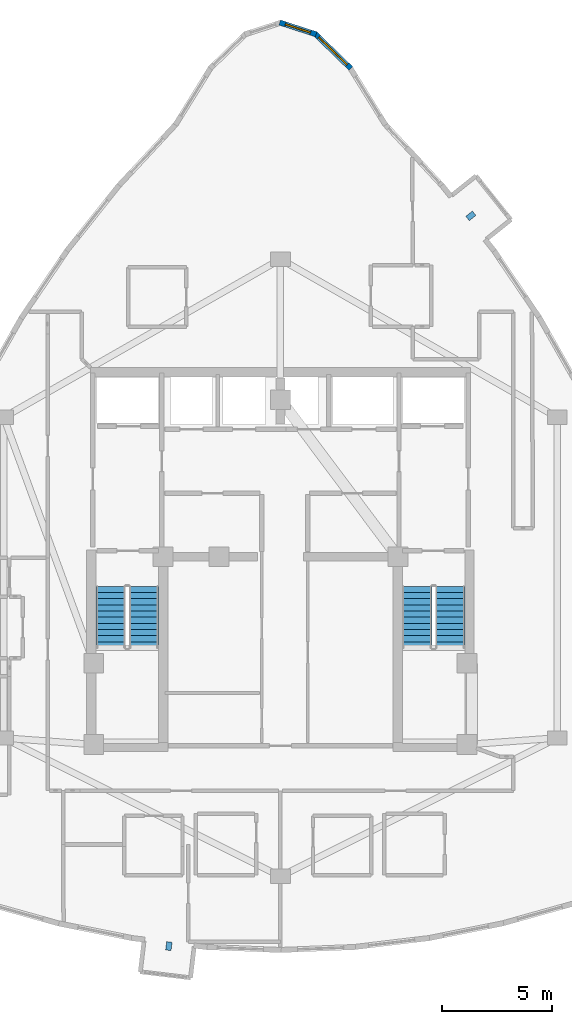
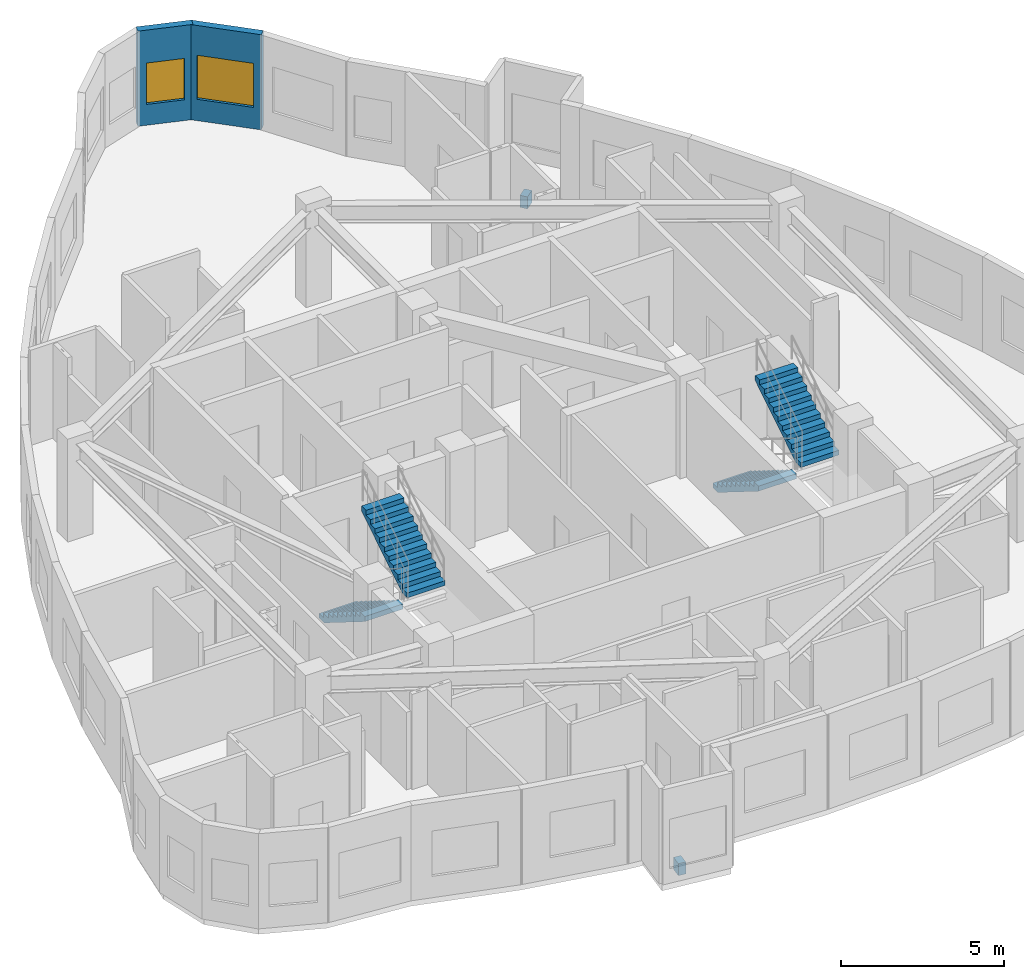
# One storey, part 12 of 13: 4 stair flights, 2 discrete accessories, 2 walls, 2 windows, 2 openings, 2 elements without a shape of their own.
"""IFC4 building model written with IfcOpenShell, lengths in metres."""

import ifcopenshell
import ifcopenshell.guid

model = None  # the IFC model being written
_history = None  # IfcOwnerHistory: only IFC2X3 demands one
_inside = {}  # id of a spatial element -> (the spatial element, [elements in it])
_under = {}  # id of a project, library or spatial element -> (it, [spatial elements below it])
_declared = {}  # id of a project -> (the project, [libraries it declares])
_typed = {}  # id of a type object -> (the type object, [elements of that type])
_made_of = {}  # id of a material, layer set ... -> (it, [elements and type objects made of it])


def new_model(schema):
    """Start an empty IFC model of exactly this schema.

    Asked for "IFC4X3", IfcOpenShell would pick the latest addendum, in which some entities
    have other attributes; the version numbers below select the first issue.
    IFC2X3 requires an IfcOwnerHistory on every rooted entity: one is made here for all.
    """
    global model, _history
    if schema == "IFC4X3":
        model = ifcopenshell.file(schema_version=(4, 3, 0, 0))
    else:
        model = ifcopenshell.file(schema=schema)
    _inside.clear()
    _under.clear()
    _declared.clear()
    _typed.clear()
    _made_of.clear()
    _history = None
    if model.schema == "IFC2X3":
        org = make("IfcOrganization", Name="unknown")
        user = make(
            "IfcPersonAndOrganization",
            ThePerson=make("IfcPerson", FamilyName="unknown"),
            TheOrganization=org,
        )
        app = make(
            "IfcApplication",
            ApplicationDeveloper=org,
            Version="unknown",
            ApplicationFullName="unknown",
            ApplicationIdentifier="unknown",
        )
        _history = make(
            "IfcOwnerHistory",
            OwningUser=user,
            OwningApplication=app,
            ChangeAction="ADDED",
            CreationDate=0,
        )
    return model


def make(cls, **values):
    """One entity of the class cls with the attributes given. An attribute that is None is left unset."""
    return model.create_entity(
        cls, **{name: value for name, value in values.items() if value is not None}
    )


def rooted(cls, **values):
    """An entity with a GlobalId (a new one), such as an element, a storey or a relation."""
    return make(cls, GlobalId=ifcopenshell.guid.new(), OwnerHistory=_history, **values)


def si_unit(unit_type, name, prefix=None):
    """IfcSIUnit, for example si_unit("LENGTHUNIT", "METRE", prefix="MILLI")."""
    return make("IfcSIUnit", UnitType=unit_type, Prefix=prefix, Name=name)


def assignment(units):
    """IfcUnitAssignment: the units of a project."""
    return None if units is None else make("IfcUnitAssignment", Units=units)


def point(xyz):
    """IfcCartesianPoint."""
    return None if xyz is None else make("IfcCartesianPoint", Coordinates=xyz)


def direction(xyz):
    """IfcDirection."""
    return None if xyz is None else make("IfcDirection", DirectionRatios=xyz)


def frame(location, z_axis=None, x_axis=None):
    """IfcAxis2Placement3D, a coordinate frame: its origin and axes. An axis left out is left unset."""
    return make(
        "IfcAxis2Placement3D",
        Location=point(location),
        Axis=direction(z_axis),
        RefDirection=direction(x_axis),
    )


def frame_2d(location, x_axis=None):
    """IfcAxis2Placement2D, a coordinate frame in the plane: its origin and x axis."""
    return make(
        "IfcAxis2Placement2D", Location=point(location), RefDirection=direction(x_axis)
    )


def origin():
    """The frame at (0, 0, 0) with its axes left unset."""
    return frame((0.0, 0.0, 0.0))


def origin_2d():
    """The frame at (0, 0) in the plane with its x axis left unset."""
    return frame_2d((0.0, 0.0))


def place(relative_to, where):
    """IfcLocalPlacement: puts the frame where relative to a parent placement (None: the world)."""
    return make(
        "IfcLocalPlacement", PlacementRelTo=relative_to, RelativePlacement=where
    )


def context(
    kind, dimensions, precision=None, world=None, true_north=None, identifier=None
):
    """IfcGeometricRepresentationContext, for example the 3D "Model" context."""
    return make(
        "IfcGeometricRepresentationContext",
        ContextIdentifier=identifier,
        ContextType=kind,
        CoordinateSpaceDimension=dimensions,
        Precision=precision,
        WorldCoordinateSystem=world,
        TrueNorth=true_north,
    )


def subcontext(parent, identifier, kind, view, scale=None):
    """IfcGeometricRepresentationSubContext, for example "Body" below "Model"."""
    return make(
        "IfcGeometricRepresentationSubContext",
        ContextIdentifier=identifier,
        ContextType=kind,
        ParentContext=parent,
        TargetScale=scale,
        TargetView=view,
    )


def project(units=None, contexts=None):
    """IfcProject with its units and contexts."""
    return rooted(
        "IfcProject",
        Name="project",
        RepresentationContexts=contexts,
        UnitsInContext=assignment(units),
    )


def spatial(cls, under=None, at=None, **own):
    """A site, building, storey or space (cls), placed at a placement, below another one or the project."""
    s = rooted(cls, ObjectPlacement=at, **own)
    if under is not None:
        _under.setdefault(under.id(), (under, []))[1].append(s)
    return s


def polyline(points):
    """IfcPolyline through the points."""
    return make("IfcPolyline", Points=[point(p) for p in points])


def profile(cls, at=None, kind="AREA", **sizes):
    """A parametric profile (cls). Its sizes go by their IFC names, for example OverallWidth=200.0."""
    return make(cls, ProfileType=kind, Position=at, **sizes)


def rectangle(**sizes):
    """IfcRectangleProfileDef."""
    return profile("IfcRectangleProfileDef", **sizes)


def outline(outer, holes=None, kind="AREA"):
    """IfcArbitraryClosedProfileDef: a profile drawn as a closed curve; with holes, ...WithVoids."""
    if holes is None:
        return make("IfcArbitraryClosedProfileDef", ProfileType=kind, OuterCurve=outer)
    return make(
        "IfcArbitraryProfileDefWithVoids",
        ProfileType=kind,
        OuterCurve=outer,
        InnerCurves=holes,
    )


def extrude(swept, where, along, depth):
    """IfcExtrudedAreaSolid: the profile swept, set in the frame where, extruded along a direction by depth."""
    return make(
        "IfcExtrudedAreaSolid",
        SweptArea=swept,
        Position=where,
        ExtrudedDirection=direction(along),
        Depth=depth,
    )


def shape(context_of_items, identifier, shape_type, items):
    """IfcShapeRepresentation: the items that make up one representation, for example the "Body"."""
    return make(
        "IfcShapeRepresentation",
        ContextOfItems=context_of_items,
        RepresentationIdentifier=identifier,
        RepresentationType=shape_type,
        Items=items,
    )


def material(Name=None, Category=None):
    """IfcMaterial."""
    return make("IfcMaterial", Name=Name, Category=Category)


def layer(
    of_material, thickness, ventilated=None, Name=None, Category=None, Priority=None
):
    """IfcMaterialLayer: one layer of a wall or slab, of a material (None: an air gap)."""
    return make(
        "IfcMaterialLayer",
        Material=of_material,
        LayerThickness=thickness,
        IsVentilated=ventilated,
        Name=Name,
        Category=Category,
        Priority=Priority,
    )


def layer_set(layers, Name=None):
    """IfcMaterialLayerSet."""
    return make("IfcMaterialLayerSet", MaterialLayers=layers, LayerSetName=Name)


def made_of(thing, what):
    """Note that an element or type object is made of a material, layer set ...; save() writes the relation."""
    if what is not None:
        _made_of.setdefault(what.id(), (what, []))[1].append(thing)
    return thing


def type_object(cls, material=None, **own):
    """A type object (cls), such as IfcWallType, which elements share."""
    return made_of(rooted(cls, **own), material)


def element(
    cls,
    number,
    at=None,
    inside=None,
    cuts=None,
    type_object=None,
    material=None,
    context=None,
    identifier="Body",
    shape_type=None,
    held_by="IfcProductDefinitionShape",
    body=None,
    shapes=None,
    **own,
):
    """One element of the class cls, such as IfcWall. Its Tag is "e" and its number.

    at: its placement. inside: the storey or other place that contains it. cuts: it is an
    opening in that element (IfcRelVoidsElement). A single representation is given by context,
    identifier, shape_type and body (its items); several are given by shapes. held_by: the class
    of the entity that holds the representations. save() writes the other relations.
    """
    e = rooted(cls, Tag="e%d" % number, ObjectPlacement=at, **own)
    if body is not None:
        shapes = [shape(context, identifier, shape_type, body)]
    if shapes is not None:
        e.Representation = make(held_by, Representations=shapes)
    if inside is not None:
        _inside.setdefault(inside.id(), (inside, []))[1].append(e)
    if cuts is not None:
        rooted(
            "IfcRelVoidsElement", RelatingBuildingElement=cuts, RelatedOpeningElement=e
        )
    if type_object is not None:
        _typed.setdefault(type_object.id(), (type_object, []))[1].append(e)
    return made_of(e, material)


def fill(opening, filler):
    """IfcRelFillsElement: the door or window that sits in an opening."""
    return rooted(
        "IfcRelFillsElement",
        RelatingOpeningElement=opening,
        RelatedBuildingElement=filler,
    )


def aggregate(whole, parts):
    """IfcRelAggregates: a whole, such as a stair, and the parts it consists of."""
    return rooted("IfcRelAggregates", RelatingObject=whole, RelatedObjects=parts)


def save(model, path):
    """Write the relations noted so far, then the file.

    IfcRelAggregates (storeys below a building ...), IfcRelContainedInSpatialStructure (elements
    in a storey), IfcRelDefinesByType, IfcRelAssociatesMaterial and IfcRelDeclares: one each for
    every whole, place, type object, material and project.
    """
    for whole, parts in _under.values():
        aggregate(whole, parts)
    for where, things in _inside.values():
        rooted(
            "IfcRelContainedInSpatialStructure",
            RelatedElements=things,
            RelatingStructure=where,
        )
    for kind, things in _typed.values():
        rooted("IfcRelDefinesByType", RelatedObjects=things, RelatingType=kind)
    for what, things in _made_of.values():
        rooted("IfcRelAssociatesMaterial", RelatedObjects=things, RelatingMaterial=what)
    for by, libraries in _declared.values():
        rooted("IfcRelDeclares", RelatingContext=by, RelatedDefinitions=libraries)
    model.write(path)


model = new_model("IFC4")

# Units and contexts
model_context = context("Model", 3, precision=1e-05, world=origin(), true_north=direction((0.0, 1.0)))
body_context = subcontext(model_context, "Body", "Model", "MODEL_VIEW")
ifc_project = project(units=[si_unit("LENGTHUNIT", "METRE"), si_unit("AREAUNIT", "SQUARE_METRE"), si_unit("VOLUMEUNIT", "CUBIC_METRE"), si_unit("PLANEANGLEUNIT", "RADIAN"), si_unit("MASSUNIT", "GRAM", prefix="KILO")], contexts=[model_context])

# Site, building, storey
site_placement = place(None, origin())
site = spatial("IfcSite", under=ifc_project, at=site_placement, CompositionType="ELEMENT")
building_placement = place(site_placement, origin())
building = spatial("IfcBuilding", under=site, at=building_placement, Name="Miruveldt Soraemaru", CompositionType="ELEMENT")
storey_placement = place(building_placement, frame((0.0, 0.0, 255.85009765625)))
storey = spatial("IfcBuildingStorey", under=building, at=storey_placement, Name="L70", CompositionType="ELEMENT", Elevation=255.85009765625)

# Wall, opening, window
ifc_material_1 = material(Name="Precast concrete C45/55 (45 MPa)", Category="concrete")
ifc_layer = layer(ifc_material_1, 0.239990234375, Name="Precast concrete C45/55 (45 MPa)", Category="concrete")
ifc_layer_set = layer_set([ifc_layer], Name="Precast concrete C45/55 (45 MPa)")
wall_type = type_object("IfcWallType", Name="WALL-EXT-PC240", PredefinedType="SOLIDWALL", material=ifc_layer_set)
wall_1_placement = place(storey_placement, frame((47.2041015625, 66.28662109375, 0.0), z_axis=(0.0, 0.0, 1.0), x_axis=(-0.717766041492, 0.696284359785, 0.0)))
wall_1 = element("IfcWall", 1, at=wall_1_placement, inside=storey, type_object=wall_type, Name="L70 Precast Concrete Facade Wall 2", PredefinedType="SOLIDWALL", context=body_context, shape_type="SweptSolid", body=[
    extrude(rectangle(XDim=2.284423828125, YDim=0.239990234375, at=frame_2d((1.14208984375, 0.0))), origin(), (0.0, 0.0, 1.0), 3.56494140625),
])
opening_1_placement = place(wall_1_placement, frame((0.241943359375, 0.0, 0.800048828125)))
opening_1 = element("IfcOpeningElement", 2, at=opening_1_placement, cuts=wall_1, Name="Opening WN-2", PredefinedType="OPENING", context=body_context, shape_type="SweptSolid", body=[
    extrude(rectangle(XDim=1.800048828125, YDim=1.64990234375, at=frame_2d((0.89990234375, 0.824951171875))), frame((0.0, 0.1298828125, 0.0), z_axis=(0.0, -1.0, 0.0), x_axis=(1.0, 0.0, 0.0)), (0.0, 0.0, 1.0), 0.260009765625),
])
ifc_material_2 = material(Name="Triple low-e insulated glazing", Category="glass")
window_type_1 = type_object("IfcWindowType", Name="WIN-PUNCH-1800x1650", PartitioningType="SINGLE_PANEL", PredefinedType="WINDOW", material=ifc_material_2)
window_1_placement = place(opening_1_placement, origin())
window_1 = element("IfcWindow", 3, at=window_1_placement, inside=storey, type_object=window_type_1, Name="L70 Punched Triple-Glazed Window 02.1", OverallHeight=1.64990234375, OverallWidth=1.800048828125, PartitioningType="SINGLE_PANEL", PredefinedType="WINDOW", context=body_context, shape_type="SweptSolid", body=[
    extrude(rectangle(XDim=1.800048828125, YDim=1.64990234375, at=frame_2d((0.89990234375, 0.824951171875))), frame((0.0, 0.030029296875, 0.0), z_axis=(0.0, -1.0, 0.0), x_axis=(1.0, 0.0, 0.0)), (0.0, 0.0, 1.0), 0.06005859375),
])
fill(opening_1, window_1)

wall_2_placement = place(storey_placement, frame((45.622802734375, 67.842041015625, 0.0), z_axis=(0.0, 0.0, 1.0), x_axis=(-0.951465057443, 0.307756794343, 0.0)))
wall_2 = element("IfcWall", 4, at=wall_2_placement, inside=storey, type_object=wall_type, Name="L70 Precast Concrete Facade Wall 3", PredefinedType="SOLIDWALL", context=body_context, shape_type="SweptSolid", body=[
    extrude(rectangle(XDim=1.740478515625, YDim=0.239990234375, at=frame_2d((0.8701171875, 0.0))), origin(), (0.0, 0.0, 1.0), 3.56494140625),
])
opening_2_placement = place(wall_2_placement, frame((0.27001953125, 0.0, 0.780029296875)))
opening_2 = element("IfcOpeningElement", 5, at=opening_2_placement, cuts=wall_2, Name="Opening WN-4", PredefinedType="OPENING", context=body_context, shape_type="SweptSolid", body=[
    extrude(rectangle(XDim=1.199951171875, YDim=1.550048828125, at=frame_2d((0.60009765625, 0.77490234375))), frame((0.0, 0.1298828125, 0.0), z_axis=(0.0, -1.0, 0.0), x_axis=(1.0, 0.0, 0.0)), (0.0, 0.0, 1.0), 0.260009765625),
])
window_type_2 = type_object("IfcWindowType", Name="WIN-PUNCH-1200x1550", PartitioningType="SINGLE_PANEL", PredefinedType="WINDOW", material=ifc_material_2)
window_2_placement = place(opening_2_placement, origin())
window_2 = element("IfcWindow", 6, at=window_2_placement, inside=storey, type_object=window_type_2, Name="L70 Punched Triple-Glazed Window 03.1", OverallHeight=1.550048828125, OverallWidth=1.199951171875, PartitioningType="SINGLE_PANEL", PredefinedType="WINDOW", context=body_context, shape_type="SweptSolid", body=[
    extrude(rectangle(XDim=1.199951171875, YDim=1.550048828125, at=frame_2d((0.60009765625, 0.77490234375))), frame((0.0, 0.030029296875, 0.0), z_axis=(0.0, -1.0, 0.0), x_axis=(1.0, 0.0, 0.0)), (0.0, 0.0, 1.0), 0.06005859375),
])
fill(opening_2, window_2)

# Stair, stair flights
ifc_material_3 = material(Name="Concrete C40/50 (40 MPa)", Category="concrete")
stair_type = type_object("IfcStairType", Name="STAIR-DL-385", PredefinedType="HALF_TURN_STAIR", material=ifc_material_3)
stair_1_placement = place(storey_placement, origin())
stair_1 = element("IfcStair", 7, at=stair_1_placement, inside=storey, type_object=stair_type, Name="L70 Protected Exit Stair ST-1", PredefinedType="HALF_TURN_STAIR")
stair_flight_type = type_object("IfcStairFlightType", Name="SFL-DL-385", PredefinedType="STRAIGHT", material=ifc_material_3)
stair_flight_1_placement = place(storey_placement, frame((36.27490234375, 42.699951171875, 0.0), z_axis=(0.0, 0.0, 1.0), x_axis=(0.0, -1.0, 0.0)))
stair_flight_1 = element("IfcStairFlight", 8, at=stair_flight_1_placement, type_object=stair_flight_type, Name="ST-1 flight 1", NumberOfRisers=11, NumberOfTreads=10, PredefinedType="STRAIGHT", RiserHeight=0.175, TreadLength=0.28, context=body_context, shape_type="SweptSolid", body=[
    extrude(outline(polyline([(0.0, 0.0), (0.0, 0.175048828125), (0.280029296875, 0.175048828125), (0.280029296875, 0.35009765625), (0.56005859375, 0.35009765625), (0.56005859375, 0.52490234375), (0.840087890625, 0.52490234375), (0.840087890625, 0.699951171875), (1.1201171875, 0.699951171875), (1.1201171875, 0.875), (1.39990234375, 0.875), (1.39990234375, 1.050048828125), (1.679931640625, 1.050048828125), (1.679931640625, 1.22509765625), (1.9599609375, 1.22509765625), (1.9599609375, 1.39990234375), (2.239990234375, 1.39990234375), (2.239990234375, 1.574951171875), (2.52001953125, 1.574951171875), (2.52001953125, 1.75), (2.800048828125, 1.75), (2.800048828125, 1.925048828125), (2.800048828125, 1.5615234375), (0.3017578125, 0.0), (0.0, 0.0)])), frame((0.0, 0.675048828125, 0.0), z_axis=(0.0, -1.0, 0.0), x_axis=(1.0, 0.0, 0.0)), (0.0, 0.0, 1.0), 1.35009765625),
])
stair_flight_2_placement = place(storey_placement, frame((37.77490234375, 39.89990234375, 1.9248046875), z_axis=(0.0, 0.0, 1.0), x_axis=(0.0, 1.0, 0.0)))
stair_flight_2 = element("IfcStairFlight", 9, at=stair_flight_2_placement, type_object=stair_flight_type, Name="ST-1 flight 2", NumberOfRisers=11, NumberOfTreads=10, PredefinedType="STRAIGHT", RiserHeight=0.175, TreadLength=0.28, context=body_context, shape_type="SweptSolid", body=[
    extrude(outline(polyline([(0.0, 0.0), (0.0, 0.175048828125), (0.280029296875, 0.175048828125), (0.280029296875, 0.35009765625), (0.56005859375, 0.35009765625), (0.56005859375, 0.52490234375), (0.840087890625, 0.52490234375), (0.840087890625, 0.699951171875), (1.1201171875, 0.699951171875), (1.1201171875, 0.875), (1.39990234375, 0.875), (1.39990234375, 1.050048828125), (1.679931640625, 1.050048828125), (1.679931640625, 1.22509765625), (1.9599609375, 1.22509765625), (1.9599609375, 1.39990234375), (2.239990234375, 1.39990234375), (2.239990234375, 1.574951171875), (2.52001953125, 1.574951171875), (2.52001953125, 1.75), (2.800048828125, 1.75), (2.800048828125, 1.925048828125), (2.800048828125, 1.5615234375), (0.3017578125, 0.0), (0.0, 0.0)])), frame((0.0, 0.675048828125, 0.0), z_axis=(0.0, -1.0, 0.0), x_axis=(1.0, 0.0, 0.0)), (0.0, 0.0, 1.0), 1.35009765625),
])
aggregate(stair_1, [stair_flight_1, stair_flight_2])

stair_2_placement = place(storey_placement, origin())
stair_2 = element("IfcStair", 10, at=stair_2_placement, inside=storey, type_object=stair_type, Name="L70 Protected Exit Stair ST-2", PredefinedType="HALF_TURN_STAIR")
stair_flight_3_placement = place(storey_placement, frame((50.22509765625, 42.699951171875, 0.0), z_axis=(0.0, 0.0, 1.0), x_axis=(0.0, -1.0, 0.0)))
stair_flight_3 = element("IfcStairFlight", 11, at=stair_flight_3_placement, type_object=stair_flight_type, Name="ST-2 flight 1", NumberOfRisers=11, NumberOfTreads=10, PredefinedType="STRAIGHT", RiserHeight=0.175, TreadLength=0.28, context=body_context, shape_type="SweptSolid", body=[
    extrude(outline(polyline([(0.0, 0.0), (0.0, 0.175048828125), (0.280029296875, 0.175048828125), (0.280029296875, 0.35009765625), (0.56005859375, 0.35009765625), (0.56005859375, 0.52490234375), (0.840087890625, 0.52490234375), (0.840087890625, 0.699951171875), (1.1201171875, 0.699951171875), (1.1201171875, 0.875), (1.39990234375, 0.875), (1.39990234375, 1.050048828125), (1.679931640625, 1.050048828125), (1.679931640625, 1.22509765625), (1.9599609375, 1.22509765625), (1.9599609375, 1.39990234375), (2.239990234375, 1.39990234375), (2.239990234375, 1.574951171875), (2.52001953125, 1.574951171875), (2.52001953125, 1.75), (2.800048828125, 1.75), (2.800048828125, 1.925048828125), (2.800048828125, 1.5615234375), (0.3017578125, 0.0), (0.0, 0.0)])), frame((0.0, 0.675048828125, 0.0), z_axis=(0.0, -1.0, 0.0), x_axis=(1.0, 0.0, 0.0)), (0.0, 0.0, 1.0), 1.35009765625),
])
stair_flight_4_placement = place(storey_placement, frame((51.72509765625, 39.89990234375, 1.9248046875), z_axis=(0.0, 0.0, 1.0), x_axis=(0.0, 1.0, 0.0)))
stair_flight_4 = element("IfcStairFlight", 12, at=stair_flight_4_placement, type_object=stair_flight_type, Name="ST-2 flight 2", NumberOfRisers=11, NumberOfTreads=10, PredefinedType="STRAIGHT", RiserHeight=0.175, TreadLength=0.28, context=body_context, shape_type="SweptSolid", body=[
    extrude(outline(polyline([(0.0, 0.0), (0.0, 0.175048828125), (0.280029296875, 0.175048828125), (0.280029296875, 0.35009765625), (0.56005859375, 0.35009765625), (0.56005859375, 0.52490234375), (0.840087890625, 0.52490234375), (0.840087890625, 0.699951171875), (1.1201171875, 0.699951171875), (1.1201171875, 0.875), (1.39990234375, 0.875), (1.39990234375, 1.050048828125), (1.679931640625, 1.050048828125), (1.679931640625, 1.22509765625), (1.9599609375, 1.22509765625), (1.9599609375, 1.39990234375), (2.239990234375, 1.39990234375), (2.239990234375, 1.574951171875), (2.52001953125, 1.574951171875), (2.52001953125, 1.75), (2.800048828125, 1.75), (2.800048828125, 1.925048828125), (2.800048828125, 1.5615234375), (0.3017578125, 0.0), (0.0, 0.0)])), frame((0.0, 0.675048828125, 0.0), z_axis=(0.0, -1.0, 0.0), x_axis=(1.0, 0.0, 0.0)), (0.0, 0.0, 1.0), 1.35009765625),
])
aggregate(stair_2, [stair_flight_3, stair_flight_4])

# Discrete accessories
ifc_material_4 = material(Name="Steel SM355 (355 MPa)", Category="steel")
discrete_accessory_type = type_object("IfcDiscreteAccessoryType", Name="ACC-BAY-BRK", PredefinedType="BRACKET", material=ifc_material_4)
for number, where, z_axis, x_axis, name in (
    (13, (38.918701171875, 26.32275390625, -0.72998046875), (0.0, 0.0, 1.0), (-0.119149147143, -0.992876367296, 0.0), "L70 Bay Window Cantilever Bracket 1"),
    (14, (52.668701171875, 59.572509765625, -0.72998046875), (0.0, 0.0, 1.0), (0.781738199863, 0.623606756598, 0.0), "L70 Bay Window Cantilever Bracket 2"),
):
    element("IfcDiscreteAccessory", number, at=place(storey_placement, frame(where, z_axis=z_axis, x_axis=x_axis)), inside=storey, type_object=discrete_accessory_type, Name=name, PredefinedType="BRACKET", context=body_context, shape_type="SweptSolid", body=[
        extrude(rectangle(XDim=0.3798828125, YDim=0.25, at=origin_2d()), origin(), (0.0, 0.0, 1.0), 0.449951171875),
    ])

save(model, "model.ifc")
